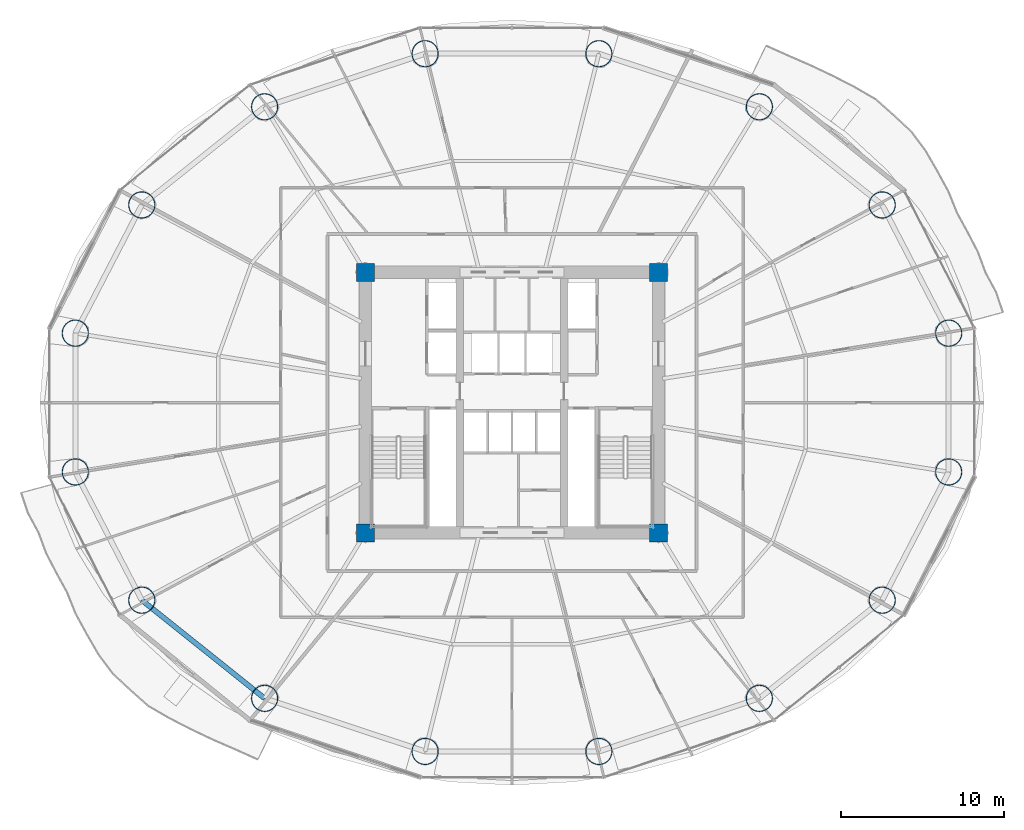
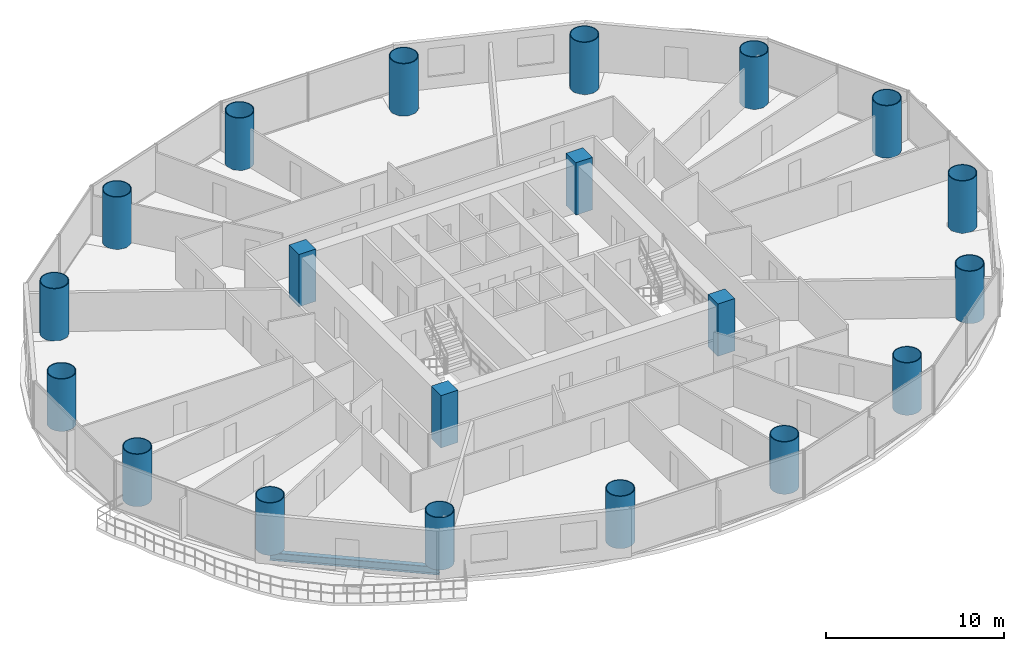
# One storey, part 1 of 29: 20 columns, 1 beam.
"""IFC4 building model written with IfcOpenShell, lengths in metres."""

from ifc_helpers import new_model, si_unit, direction, frame, origin, origin_2d, place, context, subcontext, project, spatial, rectangle, hollow_circle, i_section, extrude, material, material_profile, profile_set, type_object, element, save


model = new_model("IFC4")

# Units and contexts
model_context = context("Model", 3, precision=1e-05, world=origin(), true_north=direction((-0.2419218956, 0.970295726276)))
body_context = subcontext(model_context, "Body", "Model", "MODEL_VIEW")
ifc_project = project(units=[si_unit("LENGTHUNIT", "METRE"), si_unit("AREAUNIT", "SQUARE_METRE"), si_unit("VOLUMEUNIT", "CUBIC_METRE"), si_unit("PLANEANGLEUNIT", "RADIAN"), si_unit("MASSUNIT", "GRAM", prefix="KILO")], contexts=[model_context])

# Site, building, storey
site_placement = place(None, origin())
site = spatial("IfcSite", under=ifc_project, at=site_placement, CompositionType="ELEMENT")
building_placement = place(site_placement, origin())
building = spatial("IfcBuilding", under=site, at=building_placement, Name="Cobrevalo Terracotta Tower", CompositionType="ELEMENT")
storey_placement = place(building_placement, frame((0.0, 0.0, 52.800048828125)))
storey = spatial("IfcBuildingStorey", under=building, at=storey_placement, Name="L13", CompositionType="ELEMENT", Elevation=52.800048828125)

# Columns
ifc_material_1 = material(Name="Steel S355", Category="steel")
ifc_material_profile_1 = material_profile(ifc_material_1, hollow_circle(Radius=0.824951171875, WallThickness=0.050048828125, at=origin_2d()), Name="CHS 1650x50")
ifc_profile_set_1 = profile_set([ifc_material_profile_1], Name="Steel S355")
column_type_1 = type_object("IfcColumnType", Name="Structural Column CHS 1650x50 (Steel S355)", PredefinedType="COLUMN", material=ifc_profile_set_1)
for number, where, z_axis, x_axis, name in (
    (1, (64.824462890625, 31.062744140625, 0.0), (0.0, 0.0, 1.0), (1.0, 0.0, 0.0), "L13 composite megacolumn MC01"),
    (2, (60.74072265625, 38.939208984375, 0.0), (0.0, 0.0, 1.0), (1.0, 0.0, 0.0), "L13 composite megacolumn MC02"),
    (3, (53.19482421875, 44.967529296875, 0.0), (0.0, 0.0, 1.0), (1.0, 0.0, 0.0), "L13 composite megacolumn MC03"),
    (4, (43.335693359375, 48.230224609375, 0.0), (0.0, 0.0, 1.0), (1.0, 0.0, 0.0), "L13 composite megacolumn MC04"),
    (5, (32.664306640625, 48.230224609375, 0.0), (0.0, 0.0, 1.0), (1.0, 0.0, 0.0), "L13 composite megacolumn MC05"),
    (6, (22.80517578125, 44.967529296875, 0.0), (0.0, 0.0, 1.0), (1.0, 0.0, 0.0), "L13 composite megacolumn MC06"),
    (7, (15.25927734375, 38.939208984375, 0.0), (0.0, 0.0, 1.0), (1.0, 0.0, 0.0), "L13 composite megacolumn MC07"),
    (8, (11.175537109375, 31.062744140625, 0.0), (0.0, 0.0, 1.0), (1.0, 0.0, 0.0), "L13 composite megacolumn MC08"),
    (9, (11.175537109375, 22.537353515625, 0.0), (0.0, 0.0, 1.0), (1.0, 0.0, 0.0), "L13 composite megacolumn MC09"),
    (10, (15.25927734375, 14.660888671875, 0.0), (0.0, 0.0, 1.0), (1.0, 0.0, 0.0), "L13 composite megacolumn MC10"),
    (11, (22.80517578125, 8.63232421875, 0.0), (0.0, 0.0, 1.0), (1.0, 0.0, 0.0), "L13 composite megacolumn MC11"),
    (12, (32.664306640625, 5.369873046875, 0.0), (0.0, 0.0, 1.0), (1.0, 0.0, 0.0), "L13 composite megacolumn MC12"),
    (13, (43.335693359375, 5.369873046875, 0.0), (0.0, 0.0, 1.0), (1.0, 0.0, 0.0), "L13 composite megacolumn MC13"),
    (14, (53.19482421875, 8.63232421875, 0.0), (0.0, 0.0, 1.0), (1.0, 0.0, 0.0), "L13 composite megacolumn MC14"),
    (15, (60.74072265625, 14.660888671875, 0.0), (0.0, 0.0, 1.0), (1.0, 0.0, 0.0), "L13 composite megacolumn MC15"),
    (16, (64.824462890625, 22.537353515625, 0.0), (0.0, 0.0, 1.0), (1.0, 0.0, 0.0), "L13 composite megacolumn MC16"),
):
    element("IfcColumn", number, at=place(storey_placement, frame(where, z_axis=z_axis, x_axis=x_axis)), inside=storey, type_object=column_type_1, Name=name, PredefinedType="COLUMN", context=body_context, shape_type="SweptSolid", body=[
        extrude(hollow_circle(Radius=0.824951171875, WallThickness=0.050048828125, at=origin_2d()), origin(), (0.0, 0.0, 1.0), 3.599853515625),
    ])
ifc_material_2 = material(Name="Concrete C60", Category="concrete")
ifc_material_profile_2 = material_profile(ifc_material_2, rectangle(XDim=1.10009765625, YDim=1.10009765625, at=origin_2d()), Name="RC COL 1100x1100")
ifc_profile_set_2 = profile_set([ifc_material_profile_2], Name="Concrete C60")
column_type_2 = type_object("IfcColumnType", Name="Structural Column RC COL 1100x1100 (Concrete C60)", PredefinedType="COLUMN", material=ifc_profile_set_2)
for number, where, z_axis, x_axis, name in (
    (17, (29.0, 18.800048828125, 0.0), (0.0, 0.0, 1.0), (1.0, 0.0, 0.0), "L13 core corner column CC1"),
    (18, (47.0, 18.800048828125, 0.0), (0.0, 0.0, 1.0), (1.0, 0.0, 0.0), "L13 core corner column CC2"),
    (19, (47.0, 34.800048828125, 0.0), (0.0, 0.0, 1.0), (1.0, 0.0, 0.0), "L13 core corner column CC3"),
    (20, (29.0, 34.800048828125, 0.0), (0.0, 0.0, 1.0), (1.0, 0.0, 0.0), "L13 core corner column CC4"),
):
    element("IfcColumn", number, at=place(storey_placement, frame(where, z_axis=z_axis, x_axis=x_axis)), inside=storey, type_object=column_type_2, Name=name, PredefinedType="COLUMN", context=body_context, shape_type="SweptSolid", body=[
        extrude(rectangle(XDim=1.10009765625, YDim=1.10009765625, at=origin_2d()), origin(), (0.0, 0.0, 1.0), 3.599853515625),
    ])

# Beam
ifc_material_profile_3 = material_profile(ifc_material_1, i_section(OverallWidth=0.31201171875, OverallDepth=0.54296875, WebThickness=0.0126953125, FlangeThickness=0.020263671875, at=origin_2d()), Name="W 530x150")
ifc_profile_set_3 = profile_set([ifc_material_profile_3], Name="Steel S355")
beam_type = type_object("IfcBeamType", Name="Structural Spandrel W 530x150 (Steel S355)", PredefinedType="SPANDREL", material=ifc_profile_set_3)
beam_placement = place(storey_placement, frame((15.25927734375, 14.660888671875, -0.551513671875), z_axis=(0.781280479891, -0.62418011162, 0.0), x_axis=(0.62418011162, 0.781280479891, 0.0)))
element("IfcBeam", 21, at=beam_placement, inside=storey, type_object=beam_type, Name="L13 perimeter ring spandrel 10", PredefinedType="SPANDREL", context=body_context, shape_type="SweptSolid", body=[
    extrude(i_section(OverallWidth=0.31201171875, OverallDepth=0.54296875, WebThickness=0.0126953125, FlangeThickness=0.020263671875, at=origin_2d()), origin(), (0.0, 0.0, 1.0), 9.658447265625),
])

save(model, "model.ifc")
